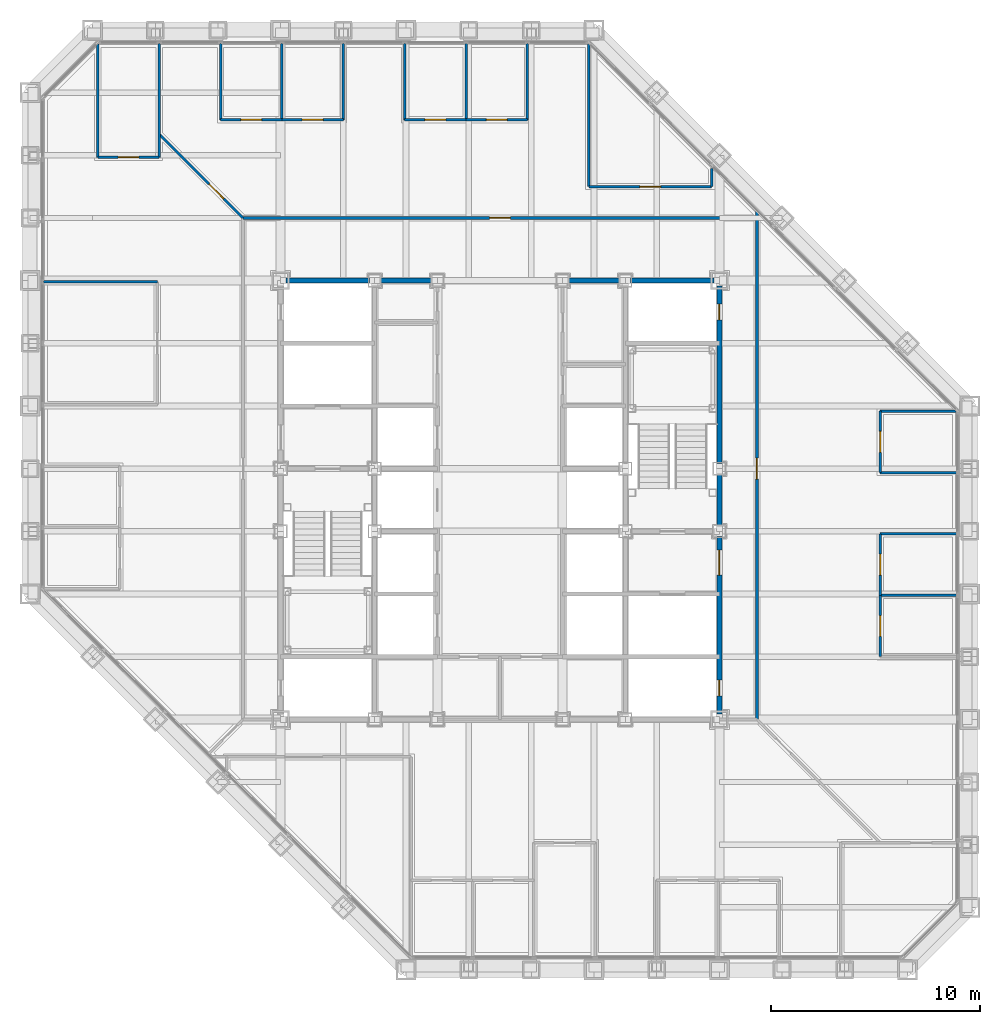
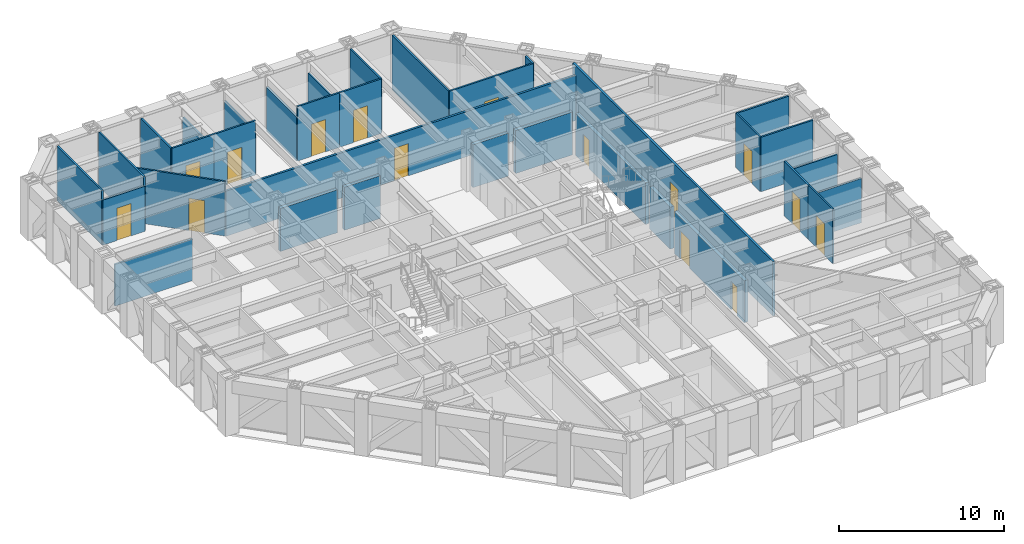
# One storey, part 12 of 17: 34 walls, 15 doors, 15 openings.
"""IFC4 building model written with IfcOpenShell, lengths in metres."""

from ifc_helpers import new_model, si_unit, direction, frame, frame_2d, origin, place, context, subcontext, project, spatial, rectangle, extrude, material, layer, layer_set, type_object, element, fill, save


model = new_model("IFC4")

# Units and contexts
model_context = context("Model", 3, precision=1e-05, world=origin(), true_north=direction((0.0, 1.0)))
body_context = subcontext(model_context, "Body", "Model", "MODEL_VIEW")
ifc_project = project(units=[si_unit("LENGTHUNIT", "METRE"), si_unit("AREAUNIT", "SQUARE_METRE"), si_unit("VOLUMEUNIT", "CUBIC_METRE"), si_unit("PLANEANGLEUNIT", "RADIAN"), si_unit("MASSUNIT", "GRAM", prefix="KILO")], contexts=[model_context])

# Site, building, storey
site_placement = place(None, origin())
site = spatial("IfcSite", under=ifc_project, at=site_placement, CompositionType="ELEMENT")
building_placement = place(site_placement, origin())
building = spatial("IfcBuilding", under=site, at=building_placement, Name="Chuquiago Exchange Tower", CompositionType="ELEMENT")
storey_placement = place(building_placement, frame((0.0, 0.0, 169.800048828125)))
storey = spatial("IfcBuildingStorey", under=building, at=storey_placement, Name="L37", CompositionType="ELEMENT", Elevation=169.800048828125)

# Walls
ifc_material_1 = material(Name="Concrete masonry, fully grouted", Category="masonry")
ifc_layer_1 = layer(ifc_material_1, 0.25)
ifc_layer_set_1 = layer_set([ifc_layer_1], Name="W1 core wall 250")
wall_type_1 = type_object("IfcWallType", Name="W1 core wall 250", PredefinedType="SOLIDWALL", material=ifc_layer_set_1)
wall_1_placement = place(storey_placement, frame((12.25, 33.0, 0.0), z_axis=(0.0, 0.0, 1.0), x_axis=(1.0, 0.0, 0.0)))
element("IfcWall", 1, at=wall_1_placement, inside=storey, type_object=wall_type_1, Name="CW-L37-11-0", PredefinedType="SOLIDWALL", context=body_context, shape_type="SweptSolid", body=[
    extrude(rectangle(XDim=4.0, YDim=0.25, at=frame_2d((2.0, 0.0))), origin(), (0.0, 0.0, 1.0), 3.181396484375),
])
for number, where, z_axis, x_axis, name in (
    (2, (16.75, 33.0, 0.0), (0.0, 0.0, 1.0), (1.0, 0.0, 0.0), "CW-L37-11-1"),
    (3, (25.75, 33.0, 0.0), (0.0, 0.0, 1.0), (1.0, 0.0, 0.0), "CW-L37-12-0"),
):
    element("IfcWall", number, at=place(storey_placement, frame(where, z_axis=z_axis, x_axis=x_axis)), inside=storey, type_object=wall_type_1, Name=name, PredefinedType="SOLIDWALL", context=body_context, shape_type="SweptSolid", body=[
        extrude(rectangle(XDim=2.5, YDim=0.25, at=frame_2d((1.25, 0.0))), origin(), (0.0, 0.0, 1.0), 3.181396484375),
    ])
wall_2_placement = place(storey_placement, frame((28.75, 33.0, 0.0), z_axis=(0.0, 0.0, 1.0), x_axis=(1.0, 0.0, 0.0)))
element("IfcWall", 4, at=wall_2_placement, inside=storey, type_object=wall_type_1, Name="CW-L37-12-1", PredefinedType="SOLIDWALL", context=body_context, shape_type="SweptSolid", body=[
    extrude(rectangle(XDim=4.0, YDim=0.25, at=frame_2d((2.0, 0.0))), origin(), (0.0, 0.0, 1.0), 3.181396484375),
])

# Wall, openings, doors
wall_3_placement = place(storey_placement, frame((33.0, 12.25, 0.0), z_axis=(0.0, 0.0, 1.0), x_axis=(0.0, 1.0, 0.0)))
wall_3 = element("IfcWall", 5, at=wall_3_placement, inside=storey, type_object=wall_type_1, Name="CW-L37-25-0", PredefinedType="SOLIDWALL", context=body_context, shape_type="SweptSolid", body=[
    extrude(rectangle(XDim=8.5, YDim=0.25, at=frame_2d((4.25, 0.0))), origin(), (0.0, 0.0, 1.0), 3.11279296875),
])
opening_1_placement = place(wall_3_placement, frame((6.64990234375, 0.0, 0.0)))
opening_1 = element("IfcOpeningElement", 6, at=opening_1_placement, cuts=wall_3, Name="Opening L37-004", PredefinedType="OPENING", context=body_context, shape_type="SweptSolid", body=[
    extrude(rectangle(XDim=1.199951171875, YDim=2.10009765625, at=frame_2d((0.60009765625, 1.050048828125))), frame((0.0, 0.135009765625, 0.0), z_axis=(0.0, -1.0, 0.0), x_axis=(1.0, 0.0, 0.0)), (0.0, 0.0, 1.0), 0.27001953125),
])
opening_2_placement = place(wall_3_placement, frame((0.875, 0.0, 0.0)))
opening_2 = element("IfcOpeningElement", 7, at=opening_2_placement, cuts=wall_3, Name="Opening L37-009", PredefinedType="OPENING", context=body_context, shape_type="SweptSolid", body=[
    extrude(rectangle(XDim=0.75, YDim=2.10009765625, at=frame_2d((0.375, 1.050048828125))), frame((0.0, 0.135009765625, 0.0), z_axis=(0.0, -1.0, 0.0), x_axis=(1.0, 0.0, 0.0)), (0.0, 0.0, 1.0), 0.27001953125),
])
ifc_material_2 = material(Name="Steel door, painted", Category="steel")
door_type_1 = type_object("IfcDoorType", Name="D5 firefighting lobby door 1200x2100", OperationType="SINGLE_SWING_LEFT", PredefinedType="DOOR", material=ifc_material_2)
door_1_placement = place(opening_1_placement, origin())
door_1 = element("IfcDoor", 8, at=door_1_placement, inside=storey, type_object=door_type_1, Name="Firefighting lobby 2 door", OperationType="SINGLE_SWING_RIGHT", OverallHeight=2.10009765625, OverallWidth=1.199951171875, PredefinedType="DOOR", context=body_context, shape_type="SweptSolid", body=[
    extrude(rectangle(XDim=1.199951171875, YDim=2.10009765625, at=frame_2d((0.60009765625, 1.050048828125))), frame((0.0, 0.02490234375, 0.0), z_axis=(0.0, -1.0, 0.0), x_axis=(1.0, 0.0, 0.0)), (0.0, 0.0, 1.0), 0.050048828125),
])
fill(opening_1, door_1)
ifc_material_3 = material(Name="Steel door, painted", Category="steel")
door_type_2 = type_object("IfcDoorType", Name="D6 riser access door 750x2100", OperationType="SINGLE_SWING_LEFT", PredefinedType="DOOR", material=ifc_material_3)
door_2_placement = place(opening_2_placement, origin())
door_2 = element("IfcDoor", 9, at=door_2_placement, inside=storey, type_object=door_type_2, Name="Riser RE1 door", OperationType="SINGLE_SWING_LEFT", OverallHeight=2.10009765625, OverallWidth=0.75, PredefinedType="DOOR", context=body_context, shape_type="SweptSolid", body=[
    extrude(rectangle(XDim=0.75, YDim=2.10009765625, at=frame_2d((0.375, 1.050048828125))), frame((0.0, 0.02490234375, 0.0), z_axis=(0.0, -1.0, 0.0), x_axis=(1.0, 0.0, 0.0)), (0.0, 0.0, 1.0), 0.050048828125),
])
fill(opening_2, door_2)

# Wall
wall_4_placement = place(storey_placement, frame((33.0, 21.25, 0.0), z_axis=(0.0, 0.0, 1.0), x_axis=(0.0, 1.0, 0.0)))
element("IfcWall", 10, at=wall_4_placement, inside=storey, type_object=wall_type_1, Name="CW-L37-25-1", PredefinedType="SOLIDWALL", context=body_context, shape_type="SweptSolid", body=[
    extrude(rectangle(XDim=2.5, YDim=0.25, at=frame_2d((1.25, 0.0))), origin(), (0.0, 0.0, 1.0), 3.11279296875),
])

# Wall, opening, door
wall_5_placement = place(storey_placement, frame((33.0, 24.25, 0.0), z_axis=(0.0, 0.0, 1.0), x_axis=(0.0, 1.0, 0.0)))
wall_5 = element("IfcWall", 11, at=wall_5_placement, inside=storey, type_object=wall_type_1, Name="CW-L37-25-2", PredefinedType="SOLIDWALL", context=body_context, shape_type="SweptSolid", body=[
    extrude(rectangle(XDim=8.5, YDim=0.25, at=frame_2d((4.25, 0.0))), origin(), (0.0, 0.0, 1.0), 3.11279296875),
])
opening_3_placement = place(wall_5_placement, frame((6.875, 0.0, 0.0)))
opening_3 = element("IfcOpeningElement", 12, at=opening_3_placement, cuts=wall_5, Name="Opening L37-010", PredefinedType="OPENING", context=body_context, shape_type="SweptSolid", body=[
    extrude(rectangle(XDim=0.75, YDim=2.10009765625, at=frame_2d((0.375, 1.050048828125))), frame((0.0, 0.135009765625, 0.0), z_axis=(0.0, -1.0, 0.0), x_axis=(1.0, 0.0, 0.0)), (0.0, 0.0, 1.0), 0.27001953125),
])
door_3_placement = place(opening_3_placement, origin())
door_3 = element("IfcDoor", 13, at=door_3_placement, inside=storey, type_object=door_type_2, Name="Riser RE2 door", OperationType="SINGLE_SWING_RIGHT", OverallHeight=2.10009765625, OverallWidth=0.75, PredefinedType="DOOR", context=body_context, shape_type="SweptSolid", body=[
    extrude(rectangle(XDim=0.75, YDim=2.10009765625, at=frame_2d((0.375, 1.050048828125))), frame((0.0, 0.02490234375, 0.0), z_axis=(0.0, -1.0, 0.0), x_axis=(1.0, 0.0, 0.0)), (0.0, 0.0, 1.0), 0.050048828125),
])
fill(opening_3, door_3)

ifc_material_4 = material(Name="Gypsum board on steel studs, acoustic insulation", Category="steel")
ifc_layer_2 = layer(ifc_material_4, 0.14990234375)
ifc_layer_set_2 = layer_set([ifc_layer_2], Name="W11 corridor wall 150")
wall_type_2 = type_object("IfcWallType", Name="W11 corridor wall 150", PredefinedType="PARTITIONING", material=ifc_layer_set_2)
wall_6_placement = place(storey_placement, frame((10.199951171875, 36.0, 0.0), z_axis=(0.0, 0.0, 1.0), x_axis=(1.0, 0.0, 0.0)))
wall_6 = element("IfcWall", 14, at=wall_6_placement, inside=storey, type_object=wall_type_2, Name="PW-L37-GN0", PredefinedType="PARTITIONING", context=body_context, shape_type="SweptSolid", body=[
    extrude(rectangle(XDim=24.91455078125, YDim=0.14990234375, at=frame_2d((12.457275390625, 0.0))), origin(), (0.0, 0.0, 1.0), 3.346435546875),
])
opening_4_placement = place(wall_6_placement, frame((11.800048828125, 0.0, 0.0)))
opening_4 = element("IfcOpeningElement", 15, at=opening_4_placement, cuts=wall_6, Name="Opening L37-040", PredefinedType="OPENING", context=body_context, shape_type="SweptSolid", body=[
    extrude(rectangle(XDim=1.0, YDim=2.39990234375, at=frame_2d((0.5, 1.199951171875))), frame((0.0, 0.0849609375, 0.0), z_axis=(0.0, -1.0, 0.0), x_axis=(1.0, 0.0, 0.0)), (0.0, 0.0, 1.0), 0.169921875),
])
ifc_material_5 = material(Name="Timber door, laminate faced", Category="wood")
door_type_3 = type_object("IfcDoorType", Name="D9 room door 1000x2400", OperationType="SINGLE_SWING_LEFT", PredefinedType="DOOR", material=ifc_material_5)
door_4_placement = place(opening_4_placement, origin())
door_4 = element("IfcDoor", 16, at=door_4_placement, inside=storey, type_object=door_type_3, Name="Team area door", OperationType="SINGLE_SWING_LEFT", OverallHeight=2.39990234375, OverallWidth=1.0, PredefinedType="DOOR", context=body_context, shape_type="SweptSolid", body=[
    extrude(rectangle(XDim=1.0, YDim=2.39990234375, at=frame_2d((0.5, 1.199951171875))), frame((0.0, 0.02490234375, 0.0), z_axis=(0.0, -1.0, 0.0), x_axis=(1.0, 0.0, 0.0)), (0.0, 0.0, 1.0), 0.050048828125),
])
fill(opening_4, door_4)

wall_7_placement = place(storey_placement, frame((34.800048828125, 12.0, 0.0), z_axis=(0.0, 0.0, 1.0), x_axis=(0.0, 1.0, 0.0)))
wall_7 = element("IfcWall", 17, at=wall_7_placement, inside=storey, type_object=wall_type_2, Name="PW-L37-GE0", PredefinedType="PARTITIONING", context=body_context, shape_type="SweptSolid", body=[
    extrude(rectangle(XDim=24.314453125, YDim=0.14990234375, at=frame_2d((12.1572265625, 0.0))), origin(), (0.0, 0.0, 1.0), 4.0400390625),
])
opening_5_placement = place(wall_7_placement, frame((11.5, 0.0, 0.0)))
opening_5 = element("IfcOpeningElement", 18, at=opening_5_placement, cuts=wall_7, Name="Opening L37-042", PredefinedType="OPENING", context=body_context, shape_type="SweptSolid", body=[
    extrude(rectangle(XDim=1.0, YDim=2.39990234375, at=frame_2d((0.5, 1.199951171875))), frame((0.0, 0.0849609375, 0.0), z_axis=(0.0, -1.0, 0.0), x_axis=(1.0, 0.0, 0.0)), (0.0, 0.0, 1.0), 0.169921875),
])
door_5_placement = place(opening_5_placement, frame((1.0, 0.0, 0.0), z_axis=(0.0, 0.0, 1.0), x_axis=(-1.0, 0.0, 0.0)))
door_5 = element("IfcDoor", 19, at=door_5_placement, inside=storey, type_object=door_type_3, Name="Team area door", OperationType="SINGLE_SWING_RIGHT", OverallHeight=2.39990234375, OverallWidth=1.0, PredefinedType="DOOR", context=body_context, shape_type="SweptSolid", body=[
    extrude(rectangle(XDim=1.0, YDim=2.39990234375, at=frame_2d((0.5, 1.199951171875))), frame((0.0, 0.02490234375, 0.0), z_axis=(0.0, -1.0, 0.0), x_axis=(1.0, 0.0, 0.0)), (0.0, 0.0, 1.0), 0.050048828125),
])
fill(opening_5, door_5)

# Walls
ifc_material_6 = material(Name="Gypsum board on steel studs", Category="steel")
ifc_layer_3 = layer(ifc_material_6, 0.1201171875)
ifc_layer_set_3 = layer_set([ifc_layer_3], Name="W4 partition 120")
wall_type_3 = type_object("IfcWallType", Name="W4 partition 120", PredefinedType="PARTITIONING", material=ifc_layer_set_3)
for number, where, z_axis, x_axis, name in (
    (20, (44.347412109375, 17.93798828125, 0.0), (0.0, 0.0, 1.0), (-1.0, 0.0, 0.0), "PW-L37-E01794"),
    (21, (44.347412109375, 20.875732421875, 0.0), (0.0, 0.0, 1.0), (-1.0, 0.0, 0.0), "PW-L37-E02088"),
):
    element("IfcWall", number, at=place(storey_placement, frame(where, z_axis=z_axis, x_axis=x_axis)), inside=storey, type_object=wall_type_3, Name=name, PredefinedType="PARTITIONING", context=body_context, shape_type="SweptSolid", body=[
        extrude(rectangle(XDim=3.6474609375, YDim=0.1201171875, at=frame_2d((1.82373046875, 0.0))), origin(), (0.0, 0.0, 1.0), 3.27783203125),
    ])
wall_8_placement = place(storey_placement, frame((44.347412109375, 23.813720703125, 0.0), z_axis=(0.0, 0.0, 1.0), x_axis=(-1.0, 0.0, 0.0)))
element("IfcWall", 22, at=wall_8_placement, inside=storey, type_object=wall_type_3, Name="PW-L37-E02381", PredefinedType="PARTITIONING", context=body_context, shape_type="SweptSolid", body=[
    extrude(rectangle(XDim=3.6474609375, YDim=0.1201171875, at=frame_2d((1.82373046875, 0.0))), origin(), (0.0, 0.0, 1.0), 4.0400390625),
])
wall_9_placement = place(storey_placement, frame((44.333984375, 26.75146484375, 0.0), z_axis=(0.0, 0.0, 1.0), x_axis=(-1.0, 0.0, 0.0)))
element("IfcWall", 23, at=wall_9_placement, inside=storey, type_object=wall_type_3, Name="PW-L37-E02675", PredefinedType="PARTITIONING", context=body_context, shape_type="SweptSolid", body=[
    extrude(rectangle(XDim=3.634033203125, YDim=0.1201171875, at=frame_2d((1.81689453125, 0.0))), origin(), (0.0, 0.0, 1.0), 4.0400390625),
])

# Wall, opening, door
wall_10_placement = place(storey_placement, frame((40.699951171875, 15.0, 0.0), z_axis=(0.0, 0.0, 1.0), x_axis=(0.0, 1.0, 0.0)))
wall_10 = element("IfcWall", 24, at=wall_10_placement, inside=storey, type_object=wall_type_3, Name="PW-L37-EF01500", PredefinedType="PARTITIONING", context=body_context, shape_type="SweptSolid", body=[
    extrude(rectangle(XDim=2.93798828125, YDim=0.1201171875, at=frame_2d((1.468994140625, 0.0))), origin(), (0.0, 0.0, 1.0), 4.0400390625),
])
opening_6_placement = place(wall_10_placement, frame((0.968994140625, 0.0, 0.0)))
opening_6 = element("IfcOpeningElement", 25, at=opening_6_placement, cuts=wall_10, Name="Opening L37-028", PredefinedType="OPENING", context=body_context, shape_type="SweptSolid", body=[
    extrude(rectangle(XDim=1.0, YDim=2.39990234375, at=frame_2d((0.5, 1.199951171875))), frame((0.0, 0.070068359375, 0.0), z_axis=(0.0, -1.0, 0.0), x_axis=(1.0, 0.0, 0.0)), (0.0, 0.0, 1.0), 0.14013671875),
])
ifc_material_7 = material(Name="Timber frame door, full height glazed panel", Category="wood")
door_type_4 = type_object("IfcDoorType", Name="D14 glazed meeting room door 1000x2400", OperationType="SINGLE_SWING_LEFT", PredefinedType="DOOR", material=ifc_material_7)
door_6_placement = place(opening_6_placement, frame((1.0, 0.0, 0.0), z_axis=(0.0, 0.0, 1.0), x_axis=(-1.0, 0.0, 0.0)))
door_6 = element("IfcDoor", 26, at=door_6_placement, inside=storey, type_object=door_type_4, Name="Focus room door", OperationType="SINGLE_SWING_RIGHT", OverallHeight=2.39990234375, OverallWidth=1.0, PredefinedType="DOOR", context=body_context, shape_type="SweptSolid", body=[
    extrude(rectangle(XDim=1.0, YDim=2.39990234375, at=frame_2d((0.5, 1.199951171875))), frame((0.0, 0.02490234375, 0.0), z_axis=(0.0, -1.0, 0.0), x_axis=(1.0, 0.0, 0.0)), (0.0, 0.0, 1.0), 0.050048828125),
])
fill(opening_6, door_6)

wall_11_placement = place(storey_placement, frame((40.699951171875, 17.93798828125, 0.0), z_axis=(0.0, 0.0, 1.0), x_axis=(0.0, 1.0, 0.0)))
wall_11 = element("IfcWall", 27, at=wall_11_placement, inside=storey, type_object=wall_type_3, Name="PW-L37-EF01794", PredefinedType="PARTITIONING", context=body_context, shape_type="SweptSolid", body=[
    extrude(rectangle(XDim=2.937744140625, YDim=0.1201171875, at=frame_2d((1.46875, 0.0))), origin(), (0.0, 0.0, 1.0), 4.0400390625),
])
opening_7_placement = place(wall_11_placement, frame((0.968994140625, 0.0, 0.0)))
opening_7 = element("IfcOpeningElement", 28, at=opening_7_placement, cuts=wall_11, Name="Opening L37-029", PredefinedType="OPENING", context=body_context, shape_type="SweptSolid", body=[
    extrude(rectangle(XDim=1.0, YDim=2.39990234375, at=frame_2d((0.5, 1.199951171875))), frame((0.0, 0.070068359375, 0.0), z_axis=(0.0, -1.0, 0.0), x_axis=(1.0, 0.0, 0.0)), (0.0, 0.0, 1.0), 0.14013671875),
])
door_7_placement = place(opening_7_placement, frame((1.0, 0.0, 0.0), z_axis=(0.0, 0.0, 1.0), x_axis=(-1.0, 0.0, 0.0)))
door_7 = element("IfcDoor", 29, at=door_7_placement, inside=storey, type_object=door_type_4, Name="Focus room door", OperationType="SINGLE_SWING_LEFT", OverallHeight=2.39990234375, OverallWidth=1.0, PredefinedType="DOOR", context=body_context, shape_type="SweptSolid", body=[
    extrude(rectangle(XDim=1.0, YDim=2.39990234375, at=frame_2d((0.5, 1.199951171875))), frame((0.0, 0.02490234375, 0.0), z_axis=(0.0, -1.0, 0.0), x_axis=(1.0, 0.0, 0.0)), (0.0, 0.0, 1.0), 0.050048828125),
])
fill(opening_7, door_7)

wall_12_placement = place(storey_placement, frame((40.699951171875, 23.813720703125, 0.0), z_axis=(0.0, 0.0, 1.0), x_axis=(0.0, 1.0, 0.0)))
wall_12 = element("IfcWall", 30, at=wall_12_placement, inside=storey, type_object=wall_type_3, Name="PW-L37-EF02381", PredefinedType="PARTITIONING", context=body_context, shape_type="SweptSolid", body=[
    extrude(rectangle(XDim=2.937744140625, YDim=0.1201171875, at=frame_2d((1.46875, 0.0))), origin(), (0.0, 0.0, 1.0), 4.0400390625),
])
opening_8_placement = place(wall_12_placement, frame((0.968994140625, 0.0, 0.0)))
opening_8 = element("IfcOpeningElement", 31, at=opening_8_placement, cuts=wall_12, Name="Opening L37-030", PredefinedType="OPENING", context=body_context, shape_type="SweptSolid", body=[
    extrude(rectangle(XDim=1.0, YDim=2.39990234375, at=frame_2d((0.5, 1.199951171875))), frame((0.0, 0.070068359375, 0.0), z_axis=(0.0, -1.0, 0.0), x_axis=(1.0, 0.0, 0.0)), (0.0, 0.0, 1.0), 0.14013671875),
])
door_8_placement = place(opening_8_placement, frame((1.0, 0.0, 0.0), z_axis=(0.0, 0.0, 1.0), x_axis=(-1.0, 0.0, 0.0)))
door_8 = element("IfcDoor", 32, at=door_8_placement, inside=storey, type_object=door_type_4, Name="Focus room door", OperationType="SINGLE_SWING_RIGHT", OverallHeight=2.39990234375, OverallWidth=1.0, PredefinedType="DOOR", context=body_context, shape_type="SweptSolid", body=[
    extrude(rectangle(XDim=1.0, YDim=2.39990234375, at=frame_2d((0.5, 1.199951171875))), frame((0.0, 0.02490234375, 0.0), z_axis=(0.0, -1.0, 0.0), x_axis=(1.0, 0.0, 0.0)), (0.0, 0.0, 1.0), 0.050048828125),
])
fill(opening_8, door_8)

# Walls
wall_13_placement = place(storey_placement, frame((3.24853515625, 44.333984375, 0.0), z_axis=(0.0, 0.0, 1.0), x_axis=(0.0, -1.0, 0.0)))
element("IfcWall", 33, at=wall_13_placement, inside=storey, type_object=wall_type_3, Name="PW-L37-N00325", PredefinedType="PARTITIONING", context=body_context, shape_type="SweptSolid", body=[
    extrude(rectangle(XDim=5.43408203125, YDim=0.1201171875, at=frame_2d((2.717041015625, 0.0))), origin(), (0.0, 0.0, 1.0), 4.0400390625),
])
wall_14_placement = place(storey_placement, frame((6.186279296875, 44.347412109375, 0.0), z_axis=(0.0, 0.0, 1.0), x_axis=(0.0, -1.0, 0.0)))
element("IfcWall", 34, at=wall_14_placement, inside=storey, type_object=wall_type_3, Name="PW-L37-N00619", PredefinedType="PARTITIONING", context=body_context, shape_type="SweptSolid", body=[
    extrude(rectangle(XDim=5.447509765625, YDim=0.1201171875, at=frame_2d((2.7236328125, 0.0))), origin(), (0.0, 0.0, 1.0), 4.0400390625),
])
wall_15_placement = place(storey_placement, frame((9.124267578125, 44.347412109375, 0.0), z_axis=(0.0, 0.0, 1.0), x_axis=(0.0, -1.0, 0.0)))
element("IfcWall", 35, at=wall_15_placement, inside=storey, type_object=wall_type_3, Name="PW-L37-N00912", PredefinedType="PARTITIONING", context=body_context, shape_type="SweptSolid", body=[
    extrude(rectangle(XDim=3.6474609375, YDim=0.1201171875, at=frame_2d((1.82373046875, 0.0))), origin(), (0.0, 0.0, 1.0), 4.0400390625),
])
wall_16_placement = place(storey_placement, frame((12.06201171875, 44.347412109375, 0.0), z_axis=(0.0, 0.0, 1.0), x_axis=(0.0, -1.0, 0.0)))
element("IfcWall", 36, at=wall_16_placement, inside=storey, type_object=wall_type_3, Name="PW-L37-N01206", PredefinedType="PARTITIONING", context=body_context, shape_type="SweptSolid", body=[
    extrude(rectangle(XDim=3.6474609375, YDim=0.1201171875, at=frame_2d((1.82373046875, 0.0))), origin(), (0.0, 0.0, 1.0), 3.092529296875),
])
for number, where, z_axis, x_axis, name in (
    (37, (15.0, 44.347412109375, 0.0), (0.0, 0.0, 1.0), (0.0, -1.0, 0.0), "PW-L37-N01500"),
    (38, (17.93798828125, 44.347412109375, 0.0), (0.0, 0.0, 1.0), (0.0, -1.0, 0.0), "PW-L37-N01794"),
    (39, (20.875732421875, 44.347412109375, 0.0), (0.0, 0.0, 1.0), (0.0, -1.0, 0.0), "PW-L37-N02088"),
):
    element("IfcWall", number, at=place(storey_placement, frame(where, z_axis=z_axis, x_axis=x_axis)), inside=storey, type_object=wall_type_3, Name=name, PredefinedType="PARTITIONING", context=body_context, shape_type="SweptSolid", body=[
        extrude(rectangle(XDim=3.6474609375, YDim=0.1201171875, at=frame_2d((1.82373046875, 0.0))), origin(), (0.0, 0.0, 1.0), 3.27783203125),
    ])
wall_17_placement = place(storey_placement, frame((23.813720703125, 44.347412109375, 0.0), z_axis=(0.0, 0.0, 1.0), x_axis=(0.0, -1.0, 0.0)))
element("IfcWall", 40, at=wall_17_placement, inside=storey, type_object=wall_type_3, Name="PW-L37-N02381", PredefinedType="PARTITIONING", context=body_context, shape_type="SweptSolid", body=[
    extrude(rectangle(XDim=3.6474609375, YDim=0.1201171875, at=frame_2d((1.82373046875, 0.0))), origin(), (0.0, 0.0, 1.0), 4.0400390625),
])
wall_18_placement = place(storey_placement, frame((26.75146484375, 44.333984375, 0.0), z_axis=(0.0, 0.0, 1.0), x_axis=(0.0, -1.0, 0.0)))
element("IfcWall", 41, at=wall_18_placement, inside=storey, type_object=wall_type_3, Name="PW-L37-N02675", PredefinedType="PARTITIONING", context=body_context, shape_type="SweptSolid", body=[
    extrude(rectangle(XDim=6.833984375, YDim=0.1201171875, at=frame_2d((3.4169921875, 0.0))), origin(), (0.0, 0.0, 1.0), 4.0400390625),
])
wall_19_placement = place(storey_placement, frame((32.63427734375, 38.375732421875, 0.0), z_axis=(0.0, 0.0, 1.0), x_axis=(0.0, -1.0, 0.0)))
element("IfcWall", 42, at=wall_19_placement, inside=storey, type_object=wall_type_3, Name="PW-L37-N03263", PredefinedType="PARTITIONING", context=body_context, shape_type="SweptSolid", body=[
    extrude(rectangle(XDim=0.875732421875, YDim=0.1201171875, at=frame_2d((0.43798828125, 0.0))), origin(), (0.0, 0.0, 1.0), 4.0400390625),
])

# Wall, opening, door
wall_20_placement = place(storey_placement, frame((3.24853515625, 38.89990234375, 0.0), z_axis=(0.0, 0.0, 1.0), x_axis=(1.0, 0.0, 0.0)))
wall_20 = element("IfcWall", 43, at=wall_20_placement, inside=storey, type_object=wall_type_3, Name="PW-L37-NF00325", PredefinedType="PARTITIONING", context=body_context, shape_type="SweptSolid", body=[
    extrude(rectangle(XDim=2.937744140625, YDim=0.1201171875, at=frame_2d((1.46875, 0.0))), origin(), (0.0, 0.0, 1.0), 3.346435546875),
])
opening_9_placement = place(wall_20_placement, frame((0.968994140625, 0.0, 0.0)))
opening_9 = element("IfcOpeningElement", 44, at=opening_9_placement, cuts=wall_20, Name="Opening L37-031", PredefinedType="OPENING", context=body_context, shape_type="SweptSolid", body=[
    extrude(rectangle(XDim=1.0, YDim=2.39990234375, at=frame_2d((0.5, 1.199951171875))), frame((0.0, 0.070068359375, 0.0), z_axis=(0.0, -1.0, 0.0), x_axis=(1.0, 0.0, 0.0)), (0.0, 0.0, 1.0), 0.14013671875),
])
door_9_placement = place(opening_9_placement, origin())
door_9 = element("IfcDoor", 45, at=door_9_placement, inside=storey, type_object=door_type_3, Name="Office door", OperationType="SINGLE_SWING_LEFT", OverallHeight=2.39990234375, OverallWidth=1.0, PredefinedType="DOOR", context=body_context, shape_type="SweptSolid", body=[
    extrude(rectangle(XDim=1.0, YDim=2.39990234375, at=frame_2d((0.5, 1.199951171875))), frame((0.0, 0.02490234375, 0.0), z_axis=(0.0, -1.0, 0.0), x_axis=(1.0, 0.0, 0.0)), (0.0, 0.0, 1.0), 0.050048828125),
])
fill(opening_9, door_9)

wall_21_placement = place(storey_placement, frame((9.124267578125, 40.699951171875, 0.0), z_axis=(0.0, 0.0, 1.0), x_axis=(1.0, 0.0, 0.0)))
wall_21 = element("IfcWall", 46, at=wall_21_placement, inside=storey, type_object=wall_type_3, Name="PW-L37-NF00912", PredefinedType="PARTITIONING", context=body_context, shape_type="SweptSolid", body=[
    extrude(rectangle(XDim=2.937744140625, YDim=0.1201171875, at=frame_2d((1.46875, 0.0))), origin(), (0.0, 0.0, 1.0), 4.0400390625),
])
opening_10_placement = place(wall_21_placement, frame((0.968994140625, 0.0, 0.0)))
opening_10 = element("IfcOpeningElement", 47, at=opening_10_placement, cuts=wall_21, Name="Opening L37-032", PredefinedType="OPENING", context=body_context, shape_type="SweptSolid", body=[
    extrude(rectangle(XDim=1.0, YDim=2.39990234375, at=frame_2d((0.5, 1.199951171875))), frame((0.0, 0.070068359375, 0.0), z_axis=(0.0, -1.0, 0.0), x_axis=(1.0, 0.0, 0.0)), (0.0, 0.0, 1.0), 0.14013671875),
])
door_10_placement = place(opening_10_placement, origin())
door_10 = element("IfcDoor", 48, at=door_10_placement, inside=storey, type_object=door_type_4, Name="Focus room door", OperationType="SINGLE_SWING_RIGHT", OverallHeight=2.39990234375, OverallWidth=1.0, PredefinedType="DOOR", context=body_context, shape_type="SweptSolid", body=[
    extrude(rectangle(XDim=1.0, YDim=2.39990234375, at=frame_2d((0.5, 1.199951171875))), frame((0.0, 0.02490234375, 0.0), z_axis=(0.0, -1.0, 0.0), x_axis=(1.0, 0.0, 0.0)), (0.0, 0.0, 1.0), 0.050048828125),
])
fill(opening_10, door_10)

wall_22_placement = place(storey_placement, frame((12.06201171875, 40.699951171875, 0.0), z_axis=(0.0, 0.0, 1.0), x_axis=(1.0, 0.0, 0.0)))
wall_22 = element("IfcWall", 49, at=wall_22_placement, inside=storey, type_object=wall_type_3, Name="PW-L37-NF01206", PredefinedType="PARTITIONING", context=body_context, shape_type="SweptSolid", body=[
    extrude(rectangle(XDim=2.93798828125, YDim=0.1201171875, at=frame_2d((1.468994140625, 0.0))), origin(), (0.0, 0.0, 1.0), 4.0400390625),
])
opening_11_placement = place(wall_22_placement, frame((0.968994140625, 0.0, 0.0)))
opening_11 = element("IfcOpeningElement", 50, at=opening_11_placement, cuts=wall_22, Name="Opening L37-033", PredefinedType="OPENING", context=body_context, shape_type="SweptSolid", body=[
    extrude(rectangle(XDim=1.0, YDim=2.39990234375, at=frame_2d((0.5, 1.199951171875))), frame((0.0, 0.070068359375, 0.0), z_axis=(0.0, -1.0, 0.0), x_axis=(1.0, 0.0, 0.0)), (0.0, 0.0, 1.0), 0.14013671875),
])
door_11_placement = place(opening_11_placement, origin())
door_11 = element("IfcDoor", 51, at=door_11_placement, inside=storey, type_object=door_type_4, Name="Focus room door", OperationType="SINGLE_SWING_RIGHT", OverallHeight=2.39990234375, OverallWidth=1.0, PredefinedType="DOOR", context=body_context, shape_type="SweptSolid", body=[
    extrude(rectangle(XDim=1.0, YDim=2.39990234375, at=frame_2d((0.5, 1.199951171875))), frame((0.0, 0.02490234375, 0.0), z_axis=(0.0, -1.0, 0.0), x_axis=(1.0, 0.0, 0.0)), (0.0, 0.0, 1.0), 0.050048828125),
])
fill(opening_11, door_11)

wall_23_placement = place(storey_placement, frame((17.93798828125, 40.699951171875, 0.0), z_axis=(0.0, 0.0, 1.0), x_axis=(1.0, 0.0, 0.0)))
wall_23 = element("IfcWall", 52, at=wall_23_placement, inside=storey, type_object=wall_type_3, Name="PW-L37-NF01794", PredefinedType="PARTITIONING", context=body_context, shape_type="SweptSolid", body=[
    extrude(rectangle(XDim=2.937744140625, YDim=0.1201171875, at=frame_2d((1.46875, 0.0))), origin(), (0.0, 0.0, 1.0), 4.0400390625),
])
opening_12_placement = place(wall_23_placement, frame((0.968994140625, 0.0, 0.0)))
opening_12 = element("IfcOpeningElement", 53, at=opening_12_placement, cuts=wall_23, Name="Opening L37-034", PredefinedType="OPENING", context=body_context, shape_type="SweptSolid", body=[
    extrude(rectangle(XDim=1.0, YDim=2.39990234375, at=frame_2d((0.5, 1.199951171875))), frame((0.0, 0.070068359375, 0.0), z_axis=(0.0, -1.0, 0.0), x_axis=(1.0, 0.0, 0.0)), (0.0, 0.0, 1.0), 0.14013671875),
])
door_12_placement = place(opening_12_placement, origin())
door_12 = element("IfcDoor", 54, at=door_12_placement, inside=storey, type_object=door_type_4, Name="Focus room door", OperationType="SINGLE_SWING_RIGHT", OverallHeight=2.39990234375, OverallWidth=1.0, PredefinedType="DOOR", context=body_context, shape_type="SweptSolid", body=[
    extrude(rectangle(XDim=1.0, YDim=2.39990234375, at=frame_2d((0.5, 1.199951171875))), frame((0.0, 0.02490234375, 0.0), z_axis=(0.0, -1.0, 0.0), x_axis=(1.0, 0.0, 0.0)), (0.0, 0.0, 1.0), 0.050048828125),
])
fill(opening_12, door_12)

wall_24_placement = place(storey_placement, frame((20.875732421875, 40.699951171875, 0.0), z_axis=(0.0, 0.0, 1.0), x_axis=(1.0, 0.0, 0.0)))
wall_24 = element("IfcWall", 55, at=wall_24_placement, inside=storey, type_object=wall_type_3, Name="PW-L37-NF02088", PredefinedType="PARTITIONING", context=body_context, shape_type="SweptSolid", body=[
    extrude(rectangle(XDim=2.93798828125, YDim=0.1201171875, at=frame_2d((1.468994140625, 0.0))), origin(), (0.0, 0.0, 1.0), 4.0400390625),
])
opening_13_placement = place(wall_24_placement, frame((0.968994140625, 0.0, 0.0)))
opening_13 = element("IfcOpeningElement", 56, at=opening_13_placement, cuts=wall_24, Name="Opening L37-035", PredefinedType="OPENING", context=body_context, shape_type="SweptSolid", body=[
    extrude(rectangle(XDim=1.0, YDim=2.39990234375, at=frame_2d((0.5, 1.199951171875))), frame((0.0, 0.070068359375, 0.0), z_axis=(0.0, -1.0, 0.0), x_axis=(1.0, 0.0, 0.0)), (0.0, 0.0, 1.0), 0.14013671875),
])
door_13_placement = place(opening_13_placement, origin())
door_13 = element("IfcDoor", 57, at=door_13_placement, inside=storey, type_object=door_type_4, Name="Focus room door", OperationType="SINGLE_SWING_RIGHT", OverallHeight=2.39990234375, OverallWidth=1.0, PredefinedType="DOOR", context=body_context, shape_type="SweptSolid", body=[
    extrude(rectangle(XDim=1.0, YDim=2.39990234375, at=frame_2d((0.5, 1.199951171875))), frame((0.0, 0.02490234375, 0.0), z_axis=(0.0, -1.0, 0.0), x_axis=(1.0, 0.0, 0.0)), (0.0, 0.0, 1.0), 0.050048828125),
])
fill(opening_13, door_13)

wall_25_placement = place(storey_placement, frame((26.75146484375, 37.5, 0.0), z_axis=(0.0, 0.0, 1.0), x_axis=(1.0, 0.0, 0.0)))
wall_25 = element("IfcWall", 58, at=wall_25_placement, inside=storey, type_object=wall_type_3, Name="PW-L37-NF02675", PredefinedType="PARTITIONING", context=body_context, shape_type="SweptSolid", body=[
    extrude(rectangle(XDim=5.8828125, YDim=0.1201171875, at=frame_2d((2.94140625, 0.0))), origin(), (0.0, 0.0, 1.0), 4.0400390625),
])
opening_14_placement = place(wall_25_placement, frame((2.44140625, 0.0, 0.0)))
opening_14 = element("IfcOpeningElement", 59, at=opening_14_placement, cuts=wall_25, Name="Opening L37-036", PredefinedType="OPENING", context=body_context, shape_type="SweptSolid", body=[
    extrude(rectangle(XDim=1.0, YDim=2.39990234375, at=frame_2d((0.5, 1.199951171875))), frame((0.0, 0.070068359375, 0.0), z_axis=(0.0, -1.0, 0.0), x_axis=(1.0, 0.0, 0.0)), (0.0, 0.0, 1.0), 0.14013671875),
])
door_14_placement = place(opening_14_placement, origin())
door_14 = element("IfcDoor", 60, at=door_14_placement, inside=storey, type_object=door_type_4, Name="Conference room door", OperationType="SINGLE_SWING_LEFT", OverallHeight=2.39990234375, OverallWidth=1.0, PredefinedType="DOOR", context=body_context, shape_type="SweptSolid", body=[
    extrude(rectangle(XDim=1.0, YDim=2.39990234375, at=frame_2d((0.5, 1.199951171875))), frame((0.0, 0.02490234375, 0.0), z_axis=(0.0, -1.0, 0.0), x_axis=(1.0, 0.0, 0.0)), (0.0, 0.0, 1.0), 0.050048828125),
])
fill(opening_14, door_14)

# Wall
wall_26_placement = place(storey_placement, frame((0.652587890625, 32.93798828125, 0.0), z_axis=(0.0, 0.0, 1.0), x_axis=(1.0, 0.0, 0.0)))
element("IfcWall", 61, at=wall_26_placement, inside=storey, type_object=wall_type_3, Name="PW-L37-W03294", PredefinedType="PARTITIONING", context=body_context, shape_type="SweptSolid", body=[
    extrude(rectangle(XDim=5.447509765625, YDim=0.1201171875, at=frame_2d((2.7236328125, 0.0))), origin(), (0.0, 0.0, 1.0), 3.092529296875),
])

# Wall, opening, door
wall_27_placement = place(storey_placement, frame((10.199951171875, 36.0, 0.0), z_axis=(0.0, 0.0, 1.0), x_axis=(-0.707106781187, 0.707106781187, 0.0)))
wall_27 = element("IfcWall", 62, at=wall_27_placement, inside=storey, type_object=wall_type_3, Name="PW-L37-QNW", PredefinedType="PARTITIONING", context=body_context, shape_type="SweptSolid", body=[
    extrude(rectangle(XDim=5.677490234375, YDim=0.1201171875, at=frame_2d((2.8388671875, 0.0))), origin(), (0.0, 0.0, 1.0), 4.0400390625),
])
opening_15_placement = place(wall_27_placement, frame((1.300048828125, 0.0, 0.0)))
opening_15 = element("IfcOpeningElement", 63, at=opening_15_placement, cuts=wall_27, Name="Opening L37-043", PredefinedType="OPENING", context=body_context, shape_type="SweptSolid", body=[
    extrude(rectangle(XDim=1.0, YDim=2.39990234375, at=frame_2d((0.5, 1.199951171875))), frame((0.0, 0.070068359375, 0.0), z_axis=(0.0, -1.0, 0.0), x_axis=(1.0, 0.0, 0.0)), (0.0, 0.0, 1.0), 0.14013671875),
])
door_15_placement = place(opening_15_placement, origin())
door_15 = element("IfcDoor", 64, at=door_15_placement, inside=storey, type_object=door_type_3, Name="Team area door", OperationType="SINGLE_SWING_LEFT", OverallHeight=2.39990234375, OverallWidth=1.0, PredefinedType="DOOR", context=body_context, shape_type="SweptSolid", body=[
    extrude(rectangle(XDim=1.0, YDim=2.39990234375, at=frame_2d((0.5, 1.199951171875))), frame((0.0, 0.02490234375, 0.0), z_axis=(0.0, -1.0, 0.0), x_axis=(1.0, 0.0, 0.0)), (0.0, 0.0, 1.0), 0.050048828125),
])
fill(opening_15, door_15)

save(model, "model.ifc")
